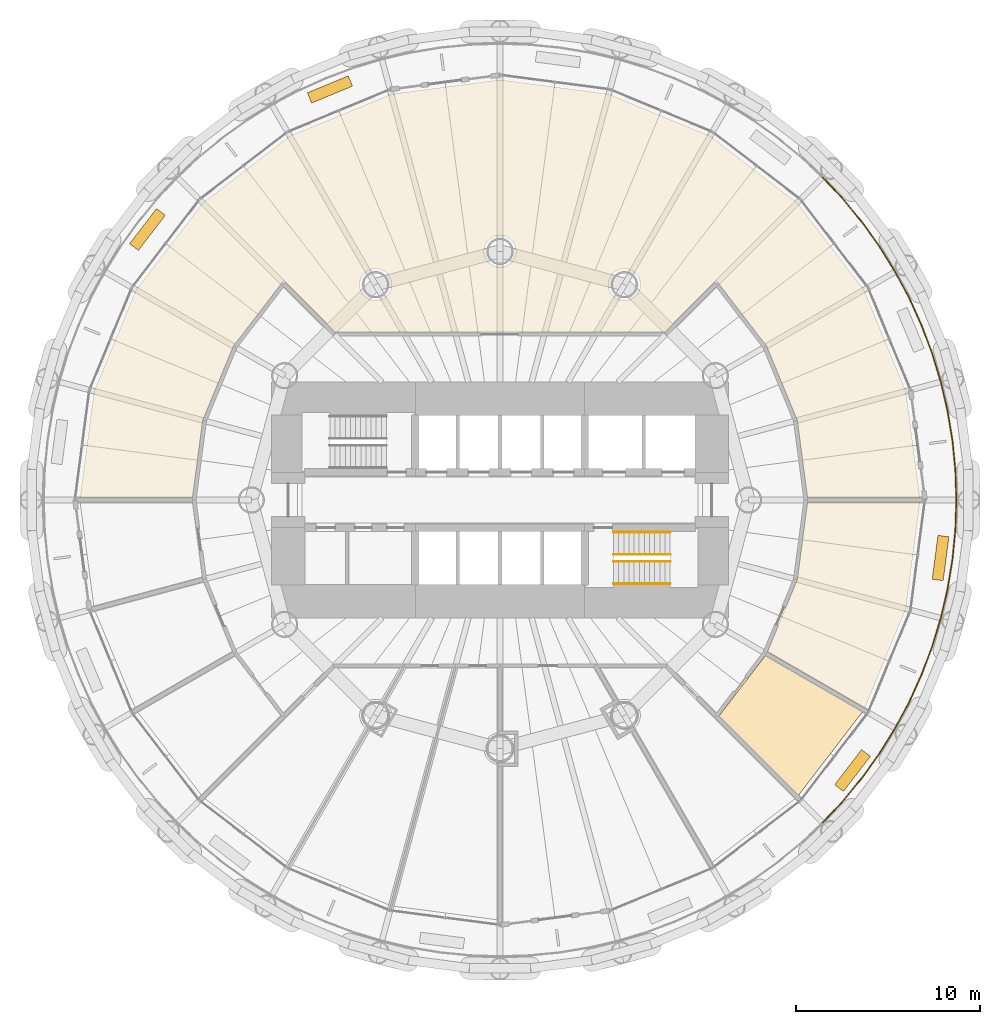
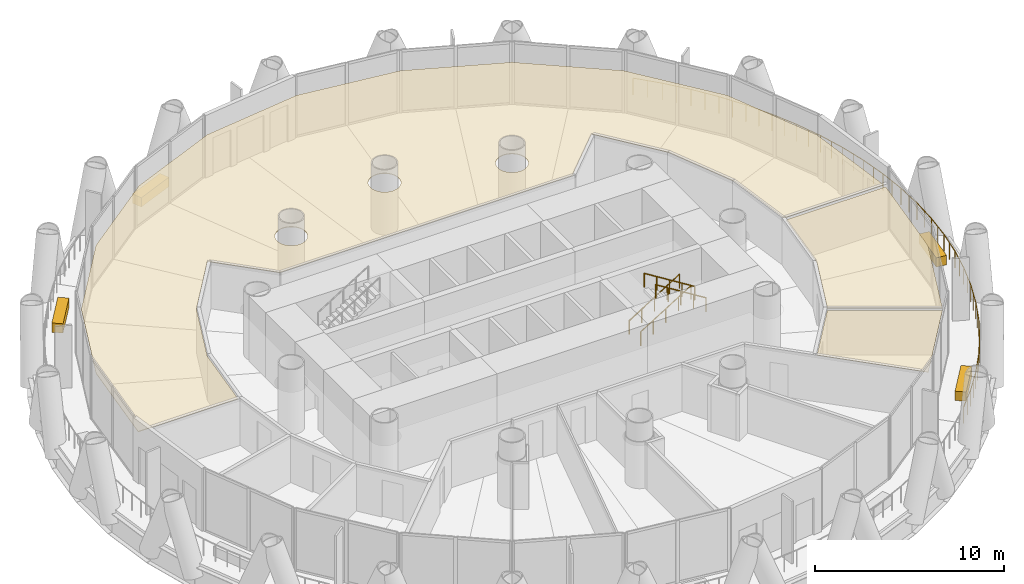
# One storey, part 15 of 16: 7 coverings, 5 railings.
"""IFC4 building model written with IfcOpenShell, lengths in metres."""

from ifc_helpers import new_model, si_unit, direction, frame, origin, origin_2d, place, context, subcontext, project, spatial, polyline, rectangle, circle, outline, extrude, material, layer, layer_set, type_object, element, save


model = new_model("IFC4")

# Units and contexts
model_context = context("Model", 3, precision=1e-05, world=origin(), true_north=direction((0.0, 1.0)))
body_context = subcontext(model_context, "Body", "Model", "MODEL_VIEW")
ifc_project = project(units=[si_unit("LENGTHUNIT", "METRE"), si_unit("AREAUNIT", "SQUARE_METRE"), si_unit("VOLUMEUNIT", "CUBIC_METRE"), si_unit("PLANEANGLEUNIT", "RADIAN"), si_unit("MASSUNIT", "GRAM", prefix="KILO")], contexts=[model_context])

# Site, building, storey
site_placement = place(None, origin())
site = spatial("IfcSite", under=ifc_project, at=site_placement, CompositionType="ELEMENT")
building_placement = place(site_placement, origin())
building = spatial("IfcBuilding", under=site, at=building_placement, Name="Qaws Media Tower", CompositionType="ELEMENT")
storey_placement = place(building_placement, frame((0.0, 0.0, 89.0)))
storey = spatial("IfcBuildingStorey", under=building, at=storey_placement, Name="L19", CompositionType="ELEMENT", Elevation=89.0)

# Coverings
ifc_material_1 = material(Name="40 perforated acoustic panels with mineral wool backing, suspended", Category="mineral fibre")
ifc_layer_1 = layer(ifc_material_1, 0.0400390625)
ifc_layer_set_1 = layer_set([ifc_layer_1], Name="Acoustic panel ceiling 40")
covering_type_1 = type_object("IfcCoveringType", Name="Acoustic panel ceiling 40", PredefinedType="CEILING", material=ifc_layer_set_1)
covering_1_placement = place(storey_placement, frame((0.0, 0.0, 2.85009765625)))
element("IfcCovering", 1, at=covering_1_placement, inside=storey, type_object=covering_type_1, Name="CL3 ceiling L19-02 Newsroom", PredefinedType="CEILING", context=body_context, shape_type="SweptSolid", body=[
    extrude(outline(polyline([(37.967041015625, 55.90380859375), (40.245849609375, 61.405029296875), (43.87060546875, 66.12939453125), (48.594970703125, 69.754150390625), (54.09619140625, 72.032958984375), (60.0, 72.810302734375), (65.90380859375, 72.032958984375), (71.405029296875, 69.754150390625), (76.12939453125, 66.12939453125), (79.754150390625, 61.405029296875), (82.032958984375, 55.90380859375), (82.79541015625, 50.112548828125), (76.69873046875, 50.112548828125), (76.14404296875, 54.32568359375), (74.474365234375, 58.356689453125), (71.7490234375, 61.908203125), (68.953369140625, 59.112548828125), (51.046630859375, 59.112548828125), (48.2509765625, 61.908203125), (45.525634765625, 58.356689453125), (43.85595703125, 54.32568359375), (43.30126953125, 50.112548828125), (37.20458984375, 50.112548828125), (37.967041015625, 55.90380859375)]), holes=[polyline([(54.0546875, 61.35791015625), (54.09130859375, 61.4658203125), (54.113525390625, 61.57763671875), (54.12109375, 61.69140625), (54.113525390625, 61.804931640625), (54.09130859375, 61.916748046875), (54.0546875, 62.024658203125), (54.00439453125, 62.126708984375), (53.94091796875, 62.2216796875), (53.865966796875, 62.30712890625), (53.7802734375, 62.38232421875), (53.685546875, 62.44580078125), (53.583251953125, 62.49609375), (53.475341796875, 62.53271484375), (53.36376953125, 62.554931640625), (53.25, 62.562255859375), (53.13623046875, 62.554931640625), (53.024658203125, 62.53271484375), (52.916748046875, 62.49609375), (52.814453125, 62.44580078125), (52.7197265625, 62.38232421875), (52.634033203125, 62.30712890625), (52.55908203125, 62.2216796875), (52.49560546875, 62.126708984375), (52.4453125, 62.024658203125), (52.40869140625, 61.916748046875), (52.386474609375, 61.804931640625), (52.37890625, 61.69140625), (52.386474609375, 61.57763671875), (52.40869140625, 61.4658203125), (52.4453125, 61.35791015625), (52.49560546875, 61.255859375), (52.55908203125, 61.1611328125), (52.634033203125, 61.075439453125), (52.7197265625, 61.000244140625), (52.814453125, 60.93701171875), (52.916748046875, 60.88671875), (53.024658203125, 60.85009765625), (53.13623046875, 60.827880859375), (53.25, 60.8203125), (53.36376953125, 60.827880859375), (53.475341796875, 60.85009765625), (53.583251953125, 60.88671875), (53.685546875, 60.93701171875), (53.7802734375, 61.000244140625), (53.865966796875, 61.075439453125), (53.94091796875, 61.1611328125), (54.00439453125, 61.255859375), (54.0546875, 61.35791015625)]), polyline([(60.8046875, 63.166748046875), (60.84130859375, 63.274658203125), (60.863525390625, 63.38623046875), (60.87109375, 63.5), (60.863525390625, 63.61376953125), (60.84130859375, 63.725341796875), (60.8046875, 63.833251953125), (60.75439453125, 63.935546875), (60.69091796875, 64.0302734375), (60.615966796875, 64.115966796875), (60.5302734375, 64.19091796875), (60.435546875, 64.25439453125), (60.333251953125, 64.3046875), (60.225341796875, 64.34130859375), (60.11376953125, 64.363525390625), (60.0, 64.37109375), (59.88623046875, 64.363525390625), (59.774658203125, 64.34130859375), (59.666748046875, 64.3046875), (59.564453125, 64.25439453125), (59.4697265625, 64.19091796875), (59.384033203125, 64.115966796875), (59.30908203125, 64.0302734375), (59.24560546875, 63.935546875), (59.1953125, 63.833251953125), (59.15869140625, 63.725341796875), (59.136474609375, 63.61376953125), (59.12890625, 63.5), (59.136474609375, 63.38623046875), (59.15869140625, 63.274658203125), (59.1953125, 63.166748046875), (59.24560546875, 63.064453125), (59.30908203125, 62.9697265625), (59.384033203125, 62.884033203125), (59.4697265625, 62.80908203125), (59.564453125, 62.74560546875), (59.666748046875, 62.6953125), (59.774658203125, 62.65869140625), (59.88623046875, 62.636474609375), (60.0, 62.62890625), (60.11376953125, 62.636474609375), (60.225341796875, 62.65869140625), (60.333251953125, 62.6953125), (60.435546875, 62.74560546875), (60.5302734375, 62.80908203125), (60.615966796875, 62.884033203125), (60.69091796875, 62.9697265625), (60.75439453125, 63.064453125), (60.8046875, 63.166748046875)]), polyline([(67.5546875, 61.35791015625), (67.59130859375, 61.4658203125), (67.613525390625, 61.57763671875), (67.62109375, 61.69140625), (67.613525390625, 61.804931640625), (67.59130859375, 61.916748046875), (67.5546875, 62.024658203125), (67.50439453125, 62.126708984375), (67.44091796875, 62.2216796875), (67.365966796875, 62.30712890625), (67.2802734375, 62.38232421875), (67.185546875, 62.44580078125), (67.083251953125, 62.49609375), (66.975341796875, 62.53271484375), (66.86376953125, 62.554931640625), (66.75, 62.562255859375), (66.63623046875, 62.554931640625), (66.524658203125, 62.53271484375), (66.416748046875, 62.49609375), (66.314453125, 62.44580078125), (66.2197265625, 62.38232421875), (66.134033203125, 62.30712890625), (66.05908203125, 62.2216796875), (65.99560546875, 62.126708984375), (65.9453125, 62.024658203125), (65.90869140625, 61.916748046875), (65.886474609375, 61.804931640625), (65.87890625, 61.69140625), (65.886474609375, 61.57763671875), (65.90869140625, 61.4658203125), (65.9453125, 61.35791015625), (65.99560546875, 61.255859375), (66.05908203125, 61.1611328125), (66.134033203125, 61.075439453125), (66.2197265625, 61.000244140625), (66.314453125, 60.93701171875), (66.416748046875, 60.88671875), (66.524658203125, 60.85009765625), (66.63623046875, 60.827880859375), (66.75, 60.8203125), (66.86376953125, 60.827880859375), (66.975341796875, 60.85009765625), (67.083251953125, 60.88671875), (67.185546875, 60.93701171875), (67.2802734375, 61.000244140625), (67.365966796875, 61.075439453125), (67.44091796875, 61.1611328125), (67.50439453125, 61.255859375), (67.5546875, 61.35791015625)])]), origin(), (0.0, 0.0, 1.0), 0.039794921875),
])
covering_2_placement = place(storey_placement, frame((0.0, 0.0, 2.85009765625)))
element("IfcCovering", 2, at=covering_2_placement, inside=storey, type_object=covering_type_1, Name="CL3 ceiling L19-12 Newsroom", PredefinedType="CEILING", context=body_context, shape_type="SweptSolid", body=[
    extrude(outline(polyline([(76.14404296875, 45.67431640625), (76.69873046875, 49.887451171875), (82.79541015625, 49.887451171875), (82.032958984375, 44.09619140625), (79.797607421875, 38.69970703125), (74.517578125, 41.748046875), (76.14404296875, 45.67431640625)])), origin(), (0.0, 0.0, 1.0), 0.039794921875),
])

# Railing
ifc_material_2 = material(Name="Stainless steel and glass guard", Category="steel")
railing_type_1 = type_object("IfcRailingType", Name="Balcony guard 1100", PredefinedType="GUARDRAIL", material=ifc_material_2)
railing_placement = place(storey_placement, frame((77.5185546875, 32.4814453125, 0.0)))
element("IfcRailing", 3, at=railing_placement, inside=storey, type_object=railing_type_1, Name="GR1 balcony guard L19-4", PredefinedType="GUARDRAIL", context=body_context, shape_type="SweptSolid", body=[
    extrude(circle(Radius=0.02392578125, at=origin_2d()), frame((0.0, 0.0, 1.076171875), z_axis=(0.683535271096, 0.729917483807, 0.0), x_axis=(-0.729917483807, 0.683535271096, 0.0)), (0.0, 0.0, 1.0), 1.62109375),
    extrude(circle(Radius=0.02392578125, at=origin_2d()), frame((1.108154296875, 1.183349609375, 1.076171875), z_axis=(0.634434295039, 0.772976794786, 0.0), x_axis=(-0.772976794786, 0.634434295039, 0.0)), (0.0, 0.0, 1.0), 1.621337890625),
    extrude(circle(Radius=0.02392578125, at=origin_2d()), frame((2.13671875, 2.4365234375, 1.076171875), z_axis=(0.582462563942, 0.81285752848, 0.0), x_axis=(-0.81285752848, 0.582462563942, 0.0)), (0.0, 0.0, 1.0), 1.621337890625),
    extrude(circle(Radius=0.02392578125, at=origin_2d()), frame((3.0810546875, 3.75439453125, 1.076171875), z_axis=(0.528116117163, 0.849172165578, 0.0), x_axis=(-0.849172165578, 0.528116117163, 0.0)), (0.0, 0.0, 1.0), 1.621337890625),
    extrude(circle(Radius=0.02392578125, at=origin_2d()), frame((3.937255859375, 5.131103515625, 1.076171875), z_axis=(0.471385349721, 0.881927350788, 0.0), x_axis=(-0.881927350788, 0.471385349721, 0.0)), (0.0, 0.0, 1.0), 1.62109375),
    extrude(circle(Radius=0.02392578125, at=origin_2d()), frame((4.701416015625, 6.560791015625, 1.076171875), z_axis=(0.412736233109, 0.910850592512, 0.0), x_axis=(-0.910850592512, 0.412736233109, 0.0)), (0.0, 0.0, 1.0), 1.621337890625),
    extrude(circle(Radius=0.02392578125, at=origin_2d()), frame((5.37060546875, 8.03759765625, 1.076171875), z_axis=(0.352228895187, 0.93591388781, 0.0), x_axis=(-0.93591388781, 0.352228895187, 0.0)), (0.0, 0.0, 1.0), 1.621337890625),
    extrude(circle(Radius=0.02392578125, at=origin_2d()), frame((5.941650390625, 9.554931640625, 1.076171875), z_axis=(0.290358482258, 0.956917944121, 0.0), x_axis=(-0.956917944121, 0.290358482258, 0.0)), (0.0, 0.0, 1.0), 1.62109375),
    extrude(circle(Radius=0.02392578125, at=origin_2d()), frame((6.412353515625, 11.106201171875, 1.076171875), z_axis=(0.227058258382, 0.973881177198, 0.0), x_axis=(-0.973881177198, 0.227058258382, 0.0)), (0.0, 0.0, 1.0), 1.621337890625),
    extrude(circle(Radius=0.02392578125, at=origin_2d()), frame((6.780517578125, 12.685302734375, 1.076171875), z_axis=(0.162811245678, 0.986657234444, 0.0), x_axis=(-0.986657234444, 0.162811245678, 0.0)), (0.0, 0.0, 1.0), 1.62109375),
    extrude(circle(Radius=0.02392578125, at=origin_2d()), frame((7.04443359375, 14.28466796875, 1.076171875), z_axis=(0.09802762667, 0.995183693802, 0.0), x_axis=(-0.995183693802, 0.09802762667, 0.0)), (0.0, 0.0, 1.0), 1.621337890625),
    extrude(circle(Radius=0.02392578125, at=origin_2d()), frame((7.203369140625, 15.898193359375, 1.076171875), z_axis=(0.032678033284, 0.999465930455, 0.0), x_axis=(-0.999465930455, 0.032678033284, 0.0)), (0.0, 0.0, 1.0), 1.621337890625),
    extrude(circle(Radius=0.02392578125, at=origin_2d()), frame((7.25634765625, 17.5185546875, 1.076171875), z_axis=(-0.032678033284, 0.999465930455, 0.0), x_axis=(-0.999465930455, -0.032678033284, 0.0)), (0.0, 0.0, 1.0), 1.621337890625),
    extrude(circle(Radius=0.02392578125, at=origin_2d()), frame((7.203369140625, 19.138916015625, 1.076171875), z_axis=(-0.09802762667, 0.995183693802, 0.0), x_axis=(-0.995183693802, -0.09802762667, 0.0)), (0.0, 0.0, 1.0), 1.621337890625),
    extrude(circle(Radius=0.02392578125, at=origin_2d()), frame((7.04443359375, 20.75244140625, 1.076171875), z_axis=(-0.162811245678, 0.986657234444, 0.0), x_axis=(-0.986657234444, -0.162811245678, 0.0)), (0.0, 0.0, 1.0), 1.62109375),
    extrude(circle(Radius=0.02392578125, at=origin_2d()), frame((6.780517578125, 22.351806640625, 1.076171875), z_axis=(-0.227058258382, 0.973881177198, 0.0), x_axis=(-0.973881177198, -0.227058258382, 0.0)), (0.0, 0.0, 1.0), 1.621337890625),
    extrude(circle(Radius=0.02392578125, at=origin_2d()), frame((6.412353515625, 23.930908203125, 1.076171875), z_axis=(-0.290358482258, 0.956917944121, 0.0), x_axis=(-0.956917944121, -0.290358482258, 0.0)), (0.0, 0.0, 1.0), 1.62109375),
    extrude(circle(Radius=0.02392578125, at=origin_2d()), frame((5.941650390625, 25.482177734375, 1.076171875), z_axis=(-0.352228895187, 0.93591388781, 0.0), x_axis=(-0.93591388781, -0.352228895187, 0.0)), (0.0, 0.0, 1.0), 1.621337890625),
    extrude(circle(Radius=0.02392578125, at=origin_2d()), frame((5.37060546875, 26.99951171875, 1.076171875), z_axis=(-0.412736233109, 0.910850592512, 0.0), x_axis=(-0.910850592512, -0.412736233109, 0.0)), (0.0, 0.0, 1.0), 1.621337890625),
    extrude(circle(Radius=0.02392578125, at=origin_2d()), frame((4.701416015625, 28.476318359375, 1.076171875), z_axis=(-0.471385349721, 0.881927350788, 0.0), x_axis=(-0.881927350788, -0.471385349721, 0.0)), (0.0, 0.0, 1.0), 1.62109375),
    extrude(circle(Radius=0.02392578125, at=origin_2d()), frame((3.937255859375, 29.906005859375, 1.076171875), z_axis=(-0.528116117163, 0.849172165578, 0.0), x_axis=(-0.849172165578, -0.528116117163, 0.0)), (0.0, 0.0, 1.0), 1.621337890625),
    extrude(circle(Radius=0.02392578125, at=origin_2d()), frame((3.0810546875, 31.28271484375, 1.076171875), z_axis=(-0.582462563942, 0.81285752848, 0.0), x_axis=(-0.81285752848, -0.582462563942, 0.0)), (0.0, 0.0, 1.0), 1.621337890625),
    extrude(circle(Radius=0.02392578125, at=origin_2d()), frame((2.13671875, 32.6005859375, 1.076171875), z_axis=(-0.634434295039, 0.772976794786, 0.0), x_axis=(-0.772976794786, -0.634434295039, 0.0)), (0.0, 0.0, 1.0), 1.621337890625),
    extrude(circle(Radius=0.02392578125, at=origin_2d()), frame((1.108154296875, 33.853759765625, 1.076171875), z_axis=(-0.683535271096, 0.729917483807, 0.0), x_axis=(-0.729917483807, -0.683535271096, 0.0)), (0.0, 0.0, 1.0), 1.62109375),
    extrude(circle(Radius=0.02099609375, at=origin_2d()), origin(), (0.0, 0.0, 1.0), 1.052001953125),
    extrude(circle(Radius=0.02099609375, at=origin_2d()), frame((0.55419921875, 0.591796875, 0.0)), (0.0, 0.0, 1.0), 1.052001953125),
    extrude(circle(Radius=0.02099609375, at=origin_2d()), frame((1.108154296875, 1.183349609375, 0.0)), (0.0, 0.0, 1.0), 1.052001953125),
    extrude(circle(Radius=0.02099609375, at=origin_2d()), frame((1.62255859375, 1.81005859375, 0.0)), (0.0, 0.0, 1.0), 1.052001953125),
    extrude(circle(Radius=0.02099609375, at=origin_2d()), frame((2.13671875, 2.4365234375, 0.0)), (0.0, 0.0, 1.0), 1.052001953125),
    extrude(circle(Radius=0.02099609375, at=origin_2d()), frame((2.60888671875, 3.095458984375, 0.0)), (0.0, 0.0, 1.0), 1.052001953125),
    extrude(circle(Radius=0.02099609375, at=origin_2d()), frame((3.0810546875, 3.75439453125, 0.0)), (0.0, 0.0, 1.0), 1.052001953125),
    extrude(circle(Radius=0.02099609375, at=origin_2d()), frame((3.50927734375, 4.44287109375, 0.0)), (0.0, 0.0, 1.0), 1.052001953125),
    extrude(circle(Radius=0.02099609375, at=origin_2d()), frame((3.937255859375, 5.131103515625, 0.0)), (0.0, 0.0, 1.0), 1.052001953125),
    extrude(circle(Radius=0.02099609375, at=origin_2d()), frame((4.3193359375, 5.845947265625, 0.0)), (0.0, 0.0, 1.0), 1.052001953125),
    extrude(circle(Radius=0.02099609375, at=origin_2d()), frame((4.701416015625, 6.560791015625, 0.0)), (0.0, 0.0, 1.0), 1.052001953125),
    extrude(circle(Radius=0.02099609375, at=origin_2d()), frame((5.0361328125, 7.29931640625, 0.0)), (0.0, 0.0, 1.0), 1.052001953125),
    extrude(circle(Radius=0.02099609375, at=origin_2d()), frame((5.37060546875, 8.03759765625, 0.0)), (0.0, 0.0, 1.0), 1.052001953125),
    extrude(circle(Radius=0.02099609375, at=origin_2d()), frame((5.65625, 8.79638671875, 0.0)), (0.0, 0.0, 1.0), 1.052001953125),
    extrude(circle(Radius=0.02099609375, at=origin_2d()), frame((5.941650390625, 9.554931640625, 0.0)), (0.0, 0.0, 1.0), 1.052001953125),
    extrude(circle(Radius=0.02099609375, at=origin_2d()), frame((6.177001953125, 10.33056640625, 0.0)), (0.0, 0.0, 1.0), 1.052001953125),
    extrude(circle(Radius=0.02099609375, at=origin_2d()), frame((6.412353515625, 11.106201171875, 0.0)), (0.0, 0.0, 1.0), 1.052001953125),
    extrude(circle(Radius=0.02099609375, at=origin_2d()), frame((6.596435546875, 11.895751953125, 0.0)), (0.0, 0.0, 1.0), 1.052001953125),
    extrude(circle(Radius=0.02099609375, at=origin_2d()), frame((6.780517578125, 12.685302734375, 0.0)), (0.0, 0.0, 1.0), 1.052001953125),
    extrude(circle(Radius=0.02099609375, at=origin_2d()), frame((6.91259765625, 13.48486328125, 0.0)), (0.0, 0.0, 1.0), 1.052001953125),
    extrude(circle(Radius=0.02099609375, at=origin_2d()), frame((7.04443359375, 14.28466796875, 0.0)), (0.0, 0.0, 1.0), 1.052001953125),
    extrude(circle(Radius=0.02099609375, at=origin_2d()), frame((7.1240234375, 15.09130859375, 0.0)), (0.0, 0.0, 1.0), 1.052001953125),
    extrude(circle(Radius=0.02099609375, at=origin_2d()), frame((7.203369140625, 15.898193359375, 0.0)), (0.0, 0.0, 1.0), 1.052001953125),
    extrude(circle(Radius=0.02099609375, at=origin_2d()), frame((7.22998046875, 16.70849609375, 0.0)), (0.0, 0.0, 1.0), 1.052001953125),
    extrude(circle(Radius=0.02099609375, at=origin_2d()), frame((7.25634765625, 17.5185546875, 0.0)), (0.0, 0.0, 1.0), 1.052001953125),
    extrude(circle(Radius=0.02099609375, at=origin_2d()), frame((7.22998046875, 18.32861328125, 0.0)), (0.0, 0.0, 1.0), 1.052001953125),
    extrude(circle(Radius=0.02099609375, at=origin_2d()), frame((7.203369140625, 19.138916015625, 0.0)), (0.0, 0.0, 1.0), 1.052001953125),
    extrude(circle(Radius=0.02099609375, at=origin_2d()), frame((7.1240234375, 19.94580078125, 0.0)), (0.0, 0.0, 1.0), 1.052001953125),
    extrude(circle(Radius=0.02099609375, at=origin_2d()), frame((7.04443359375, 20.75244140625, 0.0)), (0.0, 0.0, 1.0), 1.052001953125),
    extrude(circle(Radius=0.02099609375, at=origin_2d()), frame((6.91259765625, 21.55224609375, 0.0)), (0.0, 0.0, 1.0), 1.052001953125),
    extrude(circle(Radius=0.02099609375, at=origin_2d()), frame((6.780517578125, 22.351806640625, 0.0)), (0.0, 0.0, 1.0), 1.052001953125),
    extrude(circle(Radius=0.02099609375, at=origin_2d()), frame((6.596435546875, 23.141357421875, 0.0)), (0.0, 0.0, 1.0), 1.052001953125),
    extrude(circle(Radius=0.02099609375, at=origin_2d()), frame((6.412353515625, 23.930908203125, 0.0)), (0.0, 0.0, 1.0), 1.052001953125),
    extrude(circle(Radius=0.02099609375, at=origin_2d()), frame((6.177001953125, 24.70654296875, 0.0)), (0.0, 0.0, 1.0), 1.052001953125),
    extrude(circle(Radius=0.02099609375, at=origin_2d()), frame((5.941650390625, 25.482177734375, 0.0)), (0.0, 0.0, 1.0), 1.052001953125),
    extrude(circle(Radius=0.02099609375, at=origin_2d()), frame((5.65625, 26.24072265625, 0.0)), (0.0, 0.0, 1.0), 1.052001953125),
    extrude(circle(Radius=0.02099609375, at=origin_2d()), frame((5.37060546875, 26.99951171875, 0.0)), (0.0, 0.0, 1.0), 1.052001953125),
    extrude(circle(Radius=0.02099609375, at=origin_2d()), frame((5.0361328125, 27.73779296875, 0.0)), (0.0, 0.0, 1.0), 1.052001953125),
    extrude(circle(Radius=0.02099609375, at=origin_2d()), frame((4.701416015625, 28.476318359375, 0.0)), (0.0, 0.0, 1.0), 1.052001953125),
    extrude(circle(Radius=0.02099609375, at=origin_2d()), frame((4.3193359375, 29.191162109375, 0.0)), (0.0, 0.0, 1.0), 1.052001953125),
    extrude(circle(Radius=0.02099609375, at=origin_2d()), frame((3.937255859375, 29.906005859375, 0.0)), (0.0, 0.0, 1.0), 1.052001953125),
    extrude(circle(Radius=0.02099609375, at=origin_2d()), frame((3.50927734375, 30.59423828125, 0.0)), (0.0, 0.0, 1.0), 1.052001953125),
    extrude(circle(Radius=0.02099609375, at=origin_2d()), frame((3.0810546875, 31.28271484375, 0.0)), (0.0, 0.0, 1.0), 1.052001953125),
    extrude(circle(Radius=0.02099609375, at=origin_2d()), frame((2.60888671875, 31.941650390625, 0.0)), (0.0, 0.0, 1.0), 1.052001953125),
    extrude(circle(Radius=0.02099609375, at=origin_2d()), frame((2.13671875, 32.6005859375, 0.0)), (0.0, 0.0, 1.0), 1.052001953125),
    extrude(circle(Radius=0.02099609375, at=origin_2d()), frame((1.62255859375, 33.22705078125, 0.0)), (0.0, 0.0, 1.0), 1.052001953125),
    extrude(circle(Radius=0.02099609375, at=origin_2d()), frame((1.108154296875, 33.853759765625, 0.0)), (0.0, 0.0, 1.0), 1.052001953125),
    extrude(circle(Radius=0.02099609375, at=origin_2d()), frame((0.55419921875, 34.4453125, 0.0)), (0.0, 0.0, 1.0), 1.052001953125),
    extrude(circle(Radius=0.02099609375, at=origin_2d()), frame((0.0, 35.037109375, 0.0)), (0.0, 0.0, 1.0), 1.052001953125),
])

# Coverings
ifc_material_3 = material(Name="600 x 600 mineral fibre tiles in exposed grid, suspended", Category="mineral fibre")
ifc_layer_2 = layer(ifc_material_3, 0.02001953125)
ifc_layer_set_2 = layer_set([ifc_layer_2], Name="Mineral fibre tile ceiling 20")
covering_type_2 = type_object("IfcCoveringType", Name="Mineral fibre tile ceiling 20", PredefinedType="CEILING", material=ifc_layer_set_2)
covering_3_placement = place(storey_placement, frame((0.0, 0.0, 2.85009765625)))
element("IfcCovering", 4, at=covering_3_placement, inside=storey, type_object=covering_type_2, Name="CL1 ceiling L19-11 Ladies toilets", PredefinedType="CEILING", context=body_context, shape_type="SweptSolid", body=[
    extrude(outline(polyline([(74.4052734375, 41.55322265625), (79.685302734375, 38.5048828125), (76.1982421875, 33.960693359375), (71.88720703125, 38.271728515625), (74.4052734375, 41.55322265625)])), origin(), (0.0, 0.0, 1.0), 0.02001953125),
])
ifc_material_4 = material(Name="Precast concrete planter with trailing planting", Category="concrete")
ifc_layer_3 = layer(ifc_material_4, 0.60009765625)
ifc_layer_set_3 = layer_set([ifc_layer_3], Name="Planter 2400x600")
covering_type_3 = type_object("IfcCoveringType", Name="Planter 2400x600", PredefinedType="USERDEFINED", material=ifc_layer_set_3)
for number, where, z_axis, x_axis, name in (
    (5, (50.767822265625, 72.28857421875, 0.0), (0.0, 0.0, 1.0), (-0.923879532511, -0.382683432365, 0.0), "PL1 balcony planter L19-04"),
    (6, (40.8603515625, 64.686279296875, 0.0), (0.0, 0.0, 1.0), (-0.608761429009, -0.793353340291, 0.0), "PL1 balcony planter L19-05"),
    (7, (79.1396484375, 35.313720703125, 0.0), (0.0, 0.0, 1.0), (0.608761429009, 0.793353340291, 0.0), "PL1 balcony planter L19-11"),
    (8, (83.918701171875, 46.85107421875, 0.0), (0.0, 0.0, 1.0), (0.13052619222, 0.991444861374, 0.0), "PL1 balcony planter L19-12"),
):
    element("IfcCovering", number, at=place(storey_placement, frame(where, z_axis=z_axis, x_axis=x_axis)), inside=storey, type_object=covering_type_3, Name=name, ObjectType="PLANTER", PredefinedType="USERDEFINED", context=body_context, shape_type="SweptSolid", body=[
        extrude(rectangle(XDim=2.39990234375, YDim=0.60009765625, at=origin_2d()), origin(), (0.0, 0.0, 1.0), 0.60009765625),
    ])

# Railings
ifc_material_5 = material(Name="Steel tube handrail", Category="steel")
railing_type_2 = type_object("IfcRailingType", Name="Stair handrail 900", PredefinedType="HANDRAIL", material=ifc_material_5)
for number, where, name in (
    (9, (66.159912109375, 48.25, 0.175048828125), "HR1 handrail S2 flight 1 L19"),
    (10, (66.159912109375, 47.0400390625, 0.175048828125), "HR1 handrail S2 flight 1 L19"),
):
    element("IfcRailing", number, at=place(storey_placement, frame(where)), inside=storey, type_object=railing_type_2, Name=name, PredefinedType="HANDRAIL", context=body_context, shape_type="SweptSolid", body=[
        extrude(circle(Radius=0.02392578125, at=origin_2d()), frame((0.0, 0.0, 0.8759765625), z_axis=(0.847998304005, 0.0, 0.529998940003), x_axis=(0.0, 1.0, 0.0)), (0.0, 0.0, 1.0), 3.632080078125),
        extrude(circle(Radius=0.02099609375, at=origin_2d()), origin(), (0.0, 0.0, 1.0), 0.851806640625),
        extrude(circle(Radius=0.02099609375, at=origin_2d()), frame((0.77001953125, 0.0, 0.481201171875)), (0.0, 0.0, 1.0), 0.851806640625),
        extrude(circle(Radius=0.02099609375, at=origin_2d()), frame((1.5400390625, 0.0, 0.96240234375)), (0.0, 0.0, 1.0), 0.851806640625),
        extrude(circle(Radius=0.02099609375, at=origin_2d()), frame((2.31005859375, 0.0, 1.44384765625)), (0.0, 0.0, 1.0), 0.851806640625),
        extrude(circle(Radius=0.02099609375, at=origin_2d()), frame((3.080078125, 0.0, 1.925048828125)), (0.0, 0.0, 1.0), 0.851806640625),
    ])
for number, where, name in (
    (11, (69.239990234375, 45.449951171875, 2.27490234375), "HR1 handrail S2 flight 2 L19"),
    (12, (69.239990234375, 46.659912109375, 2.27490234375), "HR1 handrail S2 flight 2 L19"),
):
    element("IfcRailing", number, at=place(storey_placement, frame(where)), inside=storey, type_object=railing_type_2, Name=name, PredefinedType="HANDRAIL", context=body_context, shape_type="SweptSolid", body=[
        extrude(circle(Radius=0.02392578125, at=origin_2d()), frame((0.0, 0.0, 0.8759765625), z_axis=(-0.847998304005, 0.0, 0.529998940003), x_axis=(0.0, -1.0, 0.0)), (0.0, 0.0, 1.0), 3.632080078125),
        extrude(circle(Radius=0.02099609375, at=origin_2d()), origin(), (0.0, 0.0, 1.0), 0.851806640625),
        extrude(circle(Radius=0.02099609375, at=origin_2d()), frame((-0.77001953125, 0.0, 0.481201171875)), (0.0, 0.0, 1.0), 0.851806640625),
        extrude(circle(Radius=0.02099609375, at=origin_2d()), frame((-1.5400390625, 0.0, 0.96240234375)), (0.0, 0.0, 1.0), 0.851806640625),
        extrude(circle(Radius=0.02099609375, at=origin_2d()), frame((-2.31005859375, 0.0, 1.44384765625)), (0.0, 0.0, 1.0), 0.851806640625),
        extrude(circle(Radius=0.02099609375, at=origin_2d()), frame((-3.080078125, 0.0, 1.925048828125)), (0.0, 0.0, 1.0), 0.851806640625),
    ])

save(model, "model.ifc")
